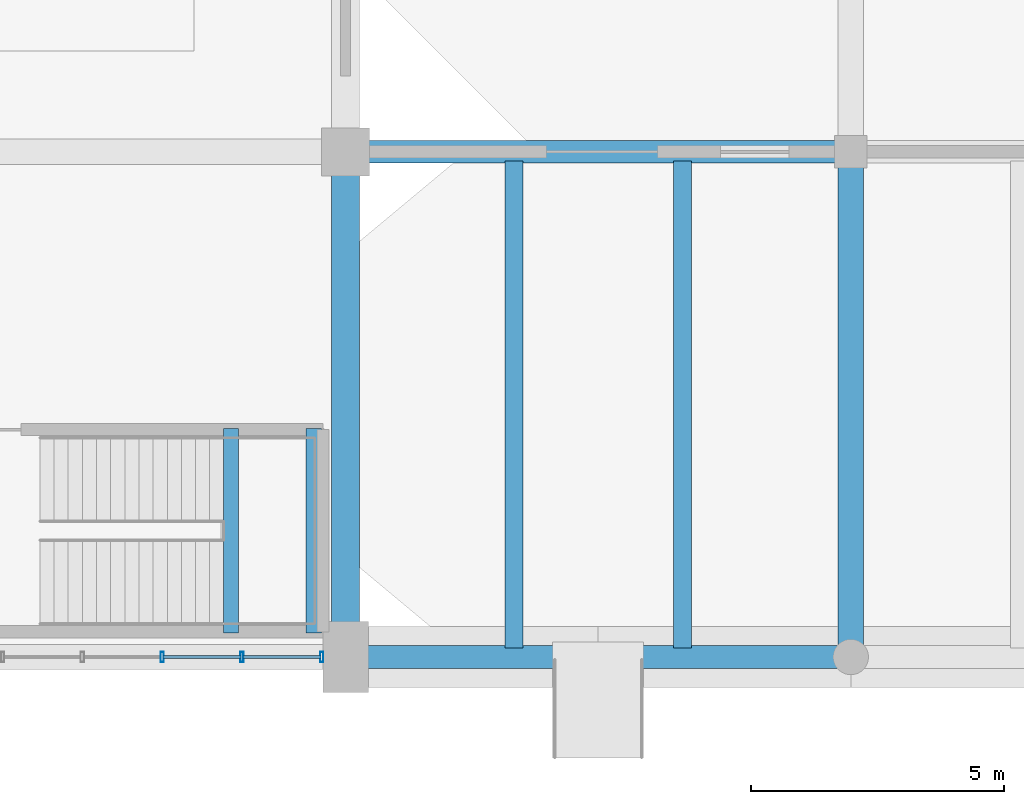
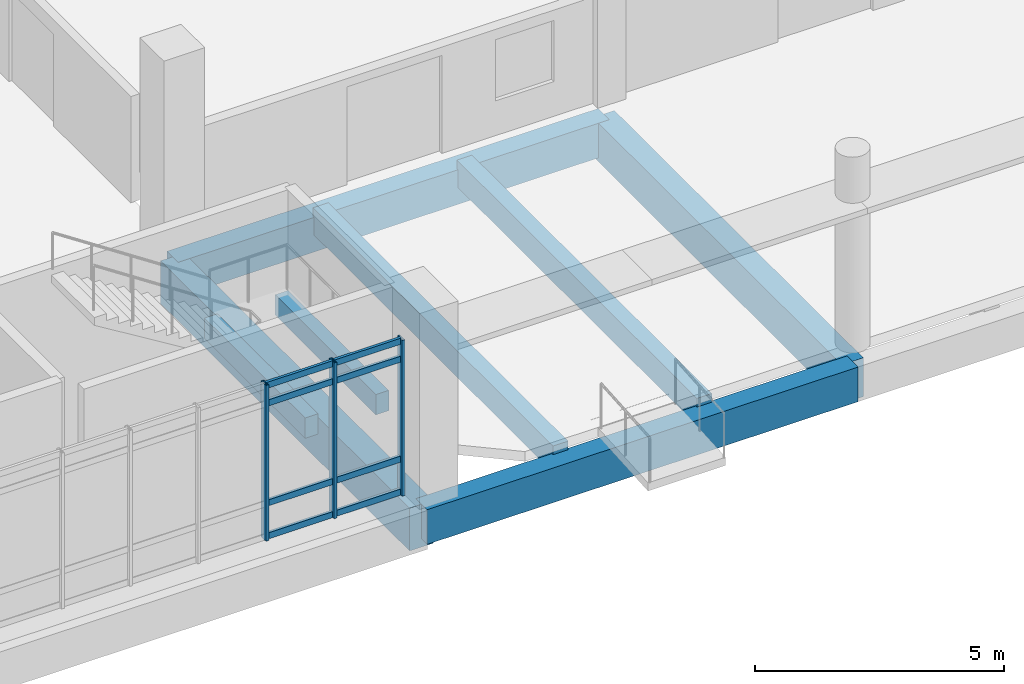
# One storey, part 22 of 87: 11 members, 8 beams, 1 element without a shape of its own.
"""IFC4 building model written with IfcOpenShell, lengths in metres."""

from ifc_helpers import new_model, si_unit, direction, frame, origin, origin_2d, place, context, subcontext, project, spatial, rectangle, hollow_rectangle, extrude, material, layer, layer_set, material_profile, profile_set, type_object, element, aggregate, save


model = new_model("IFC4")

# Units and contexts
model_context = context("Model", 3, precision=1e-05, world=origin(), true_north=direction((0.0, 1.0)))
body_context = subcontext(model_context, "Body", "Model", "MODEL_VIEW")
ifc_project = project(units=[si_unit("LENGTHUNIT", "METRE"), si_unit("AREAUNIT", "SQUARE_METRE"), si_unit("VOLUMEUNIT", "CUBIC_METRE"), si_unit("PLANEANGLEUNIT", "RADIAN"), si_unit("MASSUNIT", "GRAM", prefix="KILO")], contexts=[model_context])

# Site, building, storey
site_placement = place(None, origin())
site = spatial("IfcSite", under=ifc_project, at=site_placement, CompositionType="ELEMENT")
building_placement = place(site_placement, origin())
building = spatial("IfcBuilding", under=site, at=building_placement, Name="Mersad Railyard Sports Hall", CompositionType="ELEMENT")
storey_placement = place(building_placement, origin())
storey = spatial("IfcBuildingStorey", under=building, at=storey_placement, Name="L00", CompositionType="ELEMENT", Elevation=0.0)

# Curtain wall, members
ifc_material_1 = material(Name="Aluminium 6063-T6", Category="aluminium")
ifc_layer = layer(ifc_material_1, 0.199951171875)
ifc_layer_set = layer_set([ifc_layer], Name="Aluminium 6063-T6")
curtain_wall_type = type_object("IfcCurtainWallType", Name="ARC-CW-CW01", PredefinedType="USERDEFINED", material=ifc_layer_set)
curtain_wall_placement = place(storey_placement, origin())
curtain_wall = element("IfcCurtainWall", 1, at=curtain_wall_placement, inside=storey, type_object=curtain_wall_type, Name="Curtain wall CW01-0019", ObjectType="CURTAIN WALL", PredefinedType="USERDEFINED")
ifc_material_profile_1 = material_profile(ifc_material_1, hollow_rectangle(XDim=0.06494140625, YDim=0.199951171875, WallThickness=0.0048828125, at=origin_2d()), Name="AL MULLION 65x200x5")
ifc_profile_set_1 = profile_set([ifc_material_profile_1], Name="Aluminium 6063-T6")
member_type_1 = type_object("IfcMemberType", Name="ARC-CW-MUL02", PredefinedType="MULLION", material=ifc_profile_set_1)
member_1_placement = place(storey_placement, frame((90.530029296875, 3.5, -0.02001953125), z_axis=(0.0, 0.0, 1.0), x_axis=(1.0, 0.0, 0.0)))
member_1 = element("IfcMember", 2, at=member_1_placement, type_object=member_type_1, Name="CW01 Mullion 1", PredefinedType="MULLION", context=body_context, shape_type="SweptSolid", body=[
    extrude(hollow_rectangle(XDim=0.06494140625, YDim=0.199951171875, WallThickness=0.0048828125, at=origin_2d()), origin(), (0.0, 0.0, 1.0), 3.820068359375),
])
member_2_placement = place(storey_placement, frame((88.949951171875, 3.5, -0.02001953125), z_axis=(0.0, 0.0, 1.0), x_axis=(1.0, 0.0, 0.0)))
member_2 = element("IfcMember", 3, at=member_2_placement, type_object=member_type_1, Name="CW01 Mullion 2", PredefinedType="MULLION", context=body_context, shape_type="SweptSolid", body=[
    extrude(hollow_rectangle(XDim=0.06494140625, YDim=0.199951171875, WallThickness=0.0048828125, at=origin_2d()), origin(), (0.0, 0.0, 1.0), 3.820068359375),
])
member_3_placement = place(storey_placement, frame((87.3701171875, 3.5, -0.02001953125), z_axis=(0.0, 0.0, 1.0), x_axis=(1.0, 0.0, 0.0)))
member_3 = element("IfcMember", 4, at=member_3_placement, type_object=member_type_1, Name="CW01 Mullion 3", PredefinedType="MULLION", context=body_context, shape_type="SweptSolid", body=[
    extrude(hollow_rectangle(XDim=0.06494140625, YDim=0.199951171875, WallThickness=0.0048828125, at=origin_2d()), origin(), (0.0, 0.0, 1.0), 3.820068359375),
])
ifc_material_profile_2 = material_profile(ifc_material_1, hollow_rectangle(XDim=0.06494140625, YDim=0.14990234375, WallThickness=0.00439453125, at=origin_2d()), Name="AL TRANSOM 65x150x4.5")
ifc_profile_set_2 = profile_set([ifc_material_profile_2], Name="Aluminium 6063-T6")
member_type_2 = type_object("IfcMemberType", Name="ARC-CW-TRN02", PredefinedType="USERDEFINED", material=ifc_profile_set_2)
member_4_placement = place(storey_placement, frame((90.510009765625, 3.5, 0.0400390625), z_axis=(-1.0, 0.0, 0.0), x_axis=(0.0, -1.0, 0.0)))
member_4 = element("IfcMember", 5, at=member_4_placement, type_object=member_type_2, Name="CW01 Transom 1-1", ObjectType="TRANSOM", PredefinedType="USERDEFINED", context=body_context, shape_type="SweptSolid", body=[
    extrude(hollow_rectangle(XDim=0.06494140625, YDim=0.14990234375, WallThickness=0.00439453125, at=origin_2d()), origin(), (0.0, 0.0, 1.0), 1.5400390625),
])
member_5_placement = place(storey_placement, frame((88.929931640625, 3.5, 0.0400390625), z_axis=(-1.0, 0.0, 0.0), x_axis=(0.0, -1.0, 0.0)))
member_5 = element("IfcMember", 6, at=member_5_placement, type_object=member_type_2, Name="CW01 Transom 1-2", ObjectType="TRANSOM", PredefinedType="USERDEFINED", context=body_context, shape_type="SweptSolid", body=[
    extrude(hollow_rectangle(XDim=0.06494140625, YDim=0.14990234375, WallThickness=0.00439453125, at=origin_2d()), origin(), (0.0, 0.0, 1.0), 1.5400390625),
])
member_6_placement = place(storey_placement, frame((90.510009765625, 3.5, 0.85009765625), z_axis=(-1.0, 0.0, 0.0), x_axis=(0.0, -1.0, 0.0)))
member_6 = element("IfcMember", 7, at=member_6_placement, type_object=member_type_2, Name="CW01 Transom 2-1", ObjectType="TRANSOM", PredefinedType="USERDEFINED", context=body_context, shape_type="SweptSolid", body=[
    extrude(hollow_rectangle(XDim=0.06494140625, YDim=0.14990234375, WallThickness=0.00439453125, at=origin_2d()), origin(), (0.0, 0.0, 1.0), 1.5400390625),
])
member_7_placement = place(storey_placement, frame((88.929931640625, 3.5, 0.85009765625), z_axis=(-1.0, 0.0, 0.0), x_axis=(0.0, -1.0, 0.0)))
member_7 = element("IfcMember", 8, at=member_7_placement, type_object=member_type_2, Name="CW01 Transom 2-2", ObjectType="TRANSOM", PredefinedType="USERDEFINED", context=body_context, shape_type="SweptSolid", body=[
    extrude(hollow_rectangle(XDim=0.06494140625, YDim=0.14990234375, WallThickness=0.00439453125, at=origin_2d()), origin(), (0.0, 0.0, 1.0), 1.5400390625),
])
member_8_placement = place(storey_placement, frame((90.510009765625, 3.5, 3.300048828125), z_axis=(-1.0, 0.0, 0.0), x_axis=(0.0, -1.0, 0.0)))
member_8 = element("IfcMember", 9, at=member_8_placement, type_object=member_type_2, Name="CW01 Transom 3-1", ObjectType="TRANSOM", PredefinedType="USERDEFINED", context=body_context, shape_type="SweptSolid", body=[
    extrude(hollow_rectangle(XDim=0.06494140625, YDim=0.14990234375, WallThickness=0.00439453125, at=origin_2d()), origin(), (0.0, 0.0, 1.0), 1.5400390625),
])
member_9_placement = place(storey_placement, frame((88.929931640625, 3.5, 3.300048828125), z_axis=(-1.0, 0.0, 0.0), x_axis=(0.0, -1.0, 0.0)))
member_9 = element("IfcMember", 10, at=member_9_placement, type_object=member_type_2, Name="CW01 Transom 3-2", ObjectType="TRANSOM", PredefinedType="USERDEFINED", context=body_context, shape_type="SweptSolid", body=[
    extrude(hollow_rectangle(XDim=0.06494140625, YDim=0.14990234375, WallThickness=0.00439453125, at=origin_2d()), origin(), (0.0, 0.0, 1.0), 1.5400390625),
])
member_10_placement = place(storey_placement, frame((90.510009765625, 3.5, 3.739990234375), z_axis=(-1.0, 0.0, 0.0), x_axis=(0.0, -1.0, 0.0)))
member_10 = element("IfcMember", 11, at=member_10_placement, type_object=member_type_2, Name="CW01 Transom 4-1", ObjectType="TRANSOM", PredefinedType="USERDEFINED", context=body_context, shape_type="SweptSolid", body=[
    extrude(hollow_rectangle(XDim=0.06494140625, YDim=0.14990234375, WallThickness=0.00439453125, at=origin_2d()), origin(), (0.0, 0.0, 1.0), 1.5400390625),
])
member_11_placement = place(storey_placement, frame((88.929931640625, 3.5, 3.739990234375), z_axis=(-1.0, 0.0, 0.0), x_axis=(0.0, -1.0, 0.0)))
member_11 = element("IfcMember", 12, at=member_11_placement, type_object=member_type_2, Name="CW01 Transom 4-2", ObjectType="TRANSOM", PredefinedType="USERDEFINED", context=body_context, shape_type="SweptSolid", body=[
    extrude(hollow_rectangle(XDim=0.06494140625, YDim=0.14990234375, WallThickness=0.00439453125, at=origin_2d()), origin(), (0.0, 0.0, 1.0), 1.5400390625),
])
aggregate(curtain_wall, [member_1, member_2, member_3, member_4, member_5, member_6, member_7, member_8, member_9, member_10, member_11])

# Beams
ifc_material_2 = material(Name="Concrete C40/50", Category="concrete")
ifc_material_profile_3 = material_profile(ifc_material_2, rectangle(XDim=0.449951171875, YDim=0.85009765625, at=origin_2d()), Name="RC 450x850")
ifc_profile_set_3 = profile_set([ifc_material_profile_3], Name="Concrete C40/50")
beam_type_1 = type_object("IfcBeamType", Name="STR-BM-B02", PredefinedType="BEAM", material=ifc_profile_set_3)
for number, where, z_axis, x_axis, name in (
    (13, (91.0, 3.5, -0.875), (1.0, 0.0, 0.0), (0.0, 1.0, 0.0), "Beam B02-0053"),
    (14, (91.0, 13.5, -0.875), (1.0, 0.0, 0.0), (0.0, 1.0, 0.0), "Beam B02-0057"),
):
    element("IfcBeam", number, at=place(storey_placement, frame(where, z_axis=z_axis, x_axis=x_axis)), inside=storey, type_object=beam_type_1, Name=name, PredefinedType="BEAM", context=body_context, shape_type="SweptSolid", body=[
        extrude(rectangle(XDim=0.449951171875, YDim=0.85009765625, at=origin_2d()), origin(), (0.0, 0.0, 1.0), 10.0),
    ])
ifc_material_3 = material(Name="Concrete C50/60", Category="concrete")
ifc_material_profile_4 = material_profile(ifc_material_3, rectangle(XDim=0.5, YDim=0.949951171875, at=origin_2d()), Name="RC 500x950")
ifc_profile_set_4 = profile_set([ifc_material_profile_4], Name="Concrete C50/60")
beam_type_2 = type_object("IfcBeamType", Name="STR-BM-B03", PredefinedType="BEAM", material=ifc_profile_set_4)
beam_1_placement = place(storey_placement, frame((101.0, 3.5, -0.925048828125), z_axis=(0.0, 1.0, 0.0), x_axis=(-1.0, 0.0, 0.0)))
element("IfcBeam", 15, at=beam_1_placement, inside=storey, type_object=beam_type_2, Name="Beam B03-0065", PredefinedType="BEAM", context=body_context, shape_type="SweptSolid", body=[
    extrude(rectangle(XDim=0.5, YDim=0.949951171875, at=origin_2d()), origin(), (0.0, 0.0, 1.0), 10.0),
])
ifc_material_profile_5 = material_profile(ifc_material_3, rectangle(XDim=0.550048828125, YDim=1.050048828125, at=origin_2d()), Name="RC 550x1050")
ifc_profile_set_5 = profile_set([ifc_material_profile_5], Name="Concrete C50/60")
beam_type_3 = type_object("IfcBeamType", Name="STR-BM-B04", PredefinedType="BEAM", material=ifc_profile_set_5)
beam_2_placement = place(storey_placement, frame((91.0, 3.5, -0.97509765625), z_axis=(0.0, 1.0, 0.0), x_axis=(-1.0, 0.0, 0.0)))
element("IfcBeam", 16, at=beam_2_placement, inside=storey, type_object=beam_type_3, Name="Beam B04-0050", PredefinedType="BEAM", context=body_context, shape_type="SweptSolid", body=[
    extrude(rectangle(XDim=0.550048828125, YDim=1.050048828125, at=origin_2d()), origin(), (0.0, 0.0, 1.0), 10.0),
])
ifc_material_profile_6 = material_profile(ifc_material_2, rectangle(XDim=0.35009765625, YDim=0.64990234375, at=origin_2d()), Name="RC 350x650")
ifc_profile_set_6 = profile_set([ifc_material_profile_6], Name="Concrete C40/50")
beam_type_4 = type_object("IfcBeamType", Name="STR-BM-J01", PredefinedType="JOIST", material=ifc_profile_set_6)
for number, where, z_axis, x_axis, name in (
    (17, (94.3330078125, 3.679931640625, -0.56494140625), (0.0, 1.0, 0.0), (-1.0, 0.0, 0.0), "Beam J01-0073"),
    (18, (97.6669921875, 3.679931640625, -0.56494140625), (0.0, 1.0, 0.0), (-1.0, 0.0, 0.0), "Beam J01-0074"),
):
    element("IfcBeam", number, at=place(storey_placement, frame(where, z_axis=z_axis, x_axis=x_axis)), inside=storey, type_object=beam_type_4, Name=name, PredefinedType="JOIST", context=body_context, shape_type="SweptSolid", body=[
        extrude(rectangle(XDim=0.35009765625, YDim=0.64990234375, at=origin_2d()), origin(), (0.0, 0.0, 1.0), 9.64013671875),
    ])
ifc_material_profile_7 = material_profile(ifc_material_2, rectangle(XDim=0.300048828125, YDim=0.5, at=origin_2d()), Name="RC 300x500")
ifc_profile_set_7 = profile_set([ifc_material_profile_7], Name="Concrete C40/50")
beam_type_5 = type_object("IfcBeamType", Name="STR-BM-LN01", PredefinedType="LINTEL", material=ifc_profile_set_7)
for number, where, z_axis, x_axis, name in (
    (19, (88.72998046875, 3.97998046875, 1.969970703125), (0.0, 1.0, 0.0), (-1.0, 0.0, 0.0), "Stair ST06A landing beam W"),
    (20, (90.3701171875, 3.97998046875, 1.969970703125), (0.0, 1.0, 0.0), (-1.0, 0.0, 0.0), "Stair ST06A landing beam E"),
):
    element("IfcBeam", number, at=place(storey_placement, frame(where, z_axis=z_axis, x_axis=x_axis)), inside=storey, type_object=beam_type_5, Name=name, PredefinedType="LINTEL", context=body_context, shape_type="SweptSolid", body=[
        extrude(rectangle(XDim=0.300048828125, YDim=0.5, at=origin_2d()), origin(), (0.0, 0.0, 1.0), 4.0400390625),
    ])

save(model, "model.ifc")
